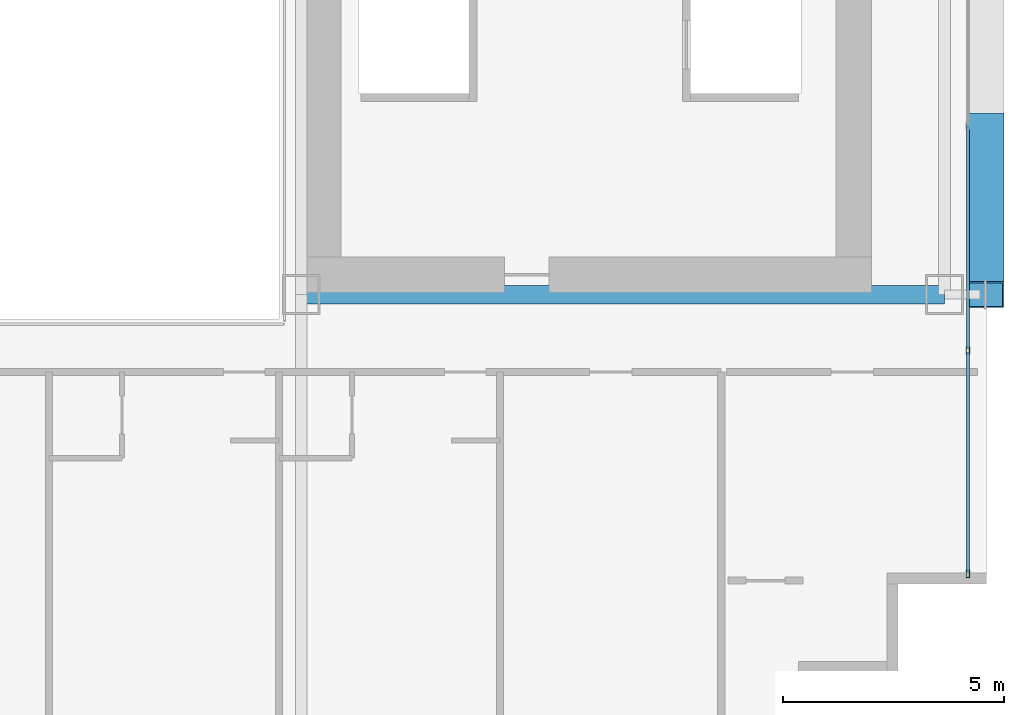
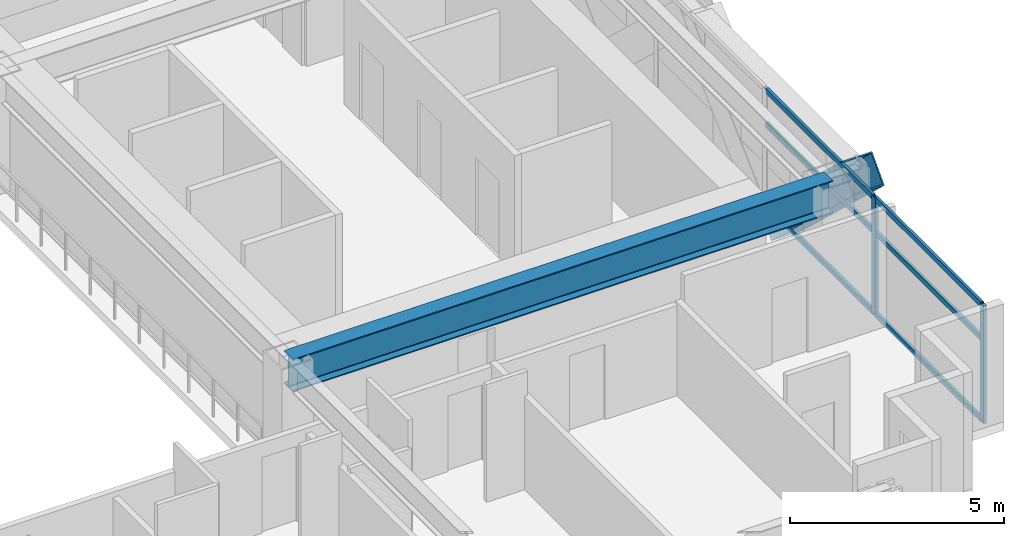
# One storey, part 11 of 38: 9 members, 1 beam, 1 element without a shape of its own.
"""IFC4 building model written with IfcOpenShell, lengths in metres."""

from ifc_helpers import new_model, si_unit, direction, frame, origin, origin_2d, place, context, subcontext, project, spatial, hollow_rectangle, i_section, extrude, source, transform, mapped, material, layer, layer_set, material_profile, profile_set, type_object, element, aggregate, save


model = new_model("IFC4")

# Units and contexts
model_context = context("Model", 3, precision=1e-05, world=origin(), true_north=direction((0.0, 1.0)))
body_context = subcontext(model_context, "Body", "Model", "MODEL_VIEW")
ifc_project = project(units=[si_unit("LENGTHUNIT", "METRE"), si_unit("AREAUNIT", "SQUARE_METRE"), si_unit("VOLUMEUNIT", "CUBIC_METRE"), si_unit("PLANEANGLEUNIT", "RADIAN"), si_unit("MASSUNIT", "GRAM", prefix="KILO")], contexts=[model_context])

# Site, building, storey
site_placement = place(None, origin())
site = spatial("IfcSite", under=ifc_project, at=site_placement, CompositionType="ELEMENT")
building_placement = place(site_placement, origin())
building = spatial("IfcBuilding", under=site, at=building_placement, Name="Ocotamira Hotel", CompositionType="ELEMENT")
storey_placement = place(building_placement, frame((0.0, 0.0, 74.39990234375)))
storey = spatial("IfcBuildingStorey", under=building, at=storey_placement, Name="L18", CompositionType="ELEMENT", Elevation=74.39990234375)

# Beam
ifc_material_1 = material(Name="Steel ASTM A992 Grade 50", Category="steel")
ifc_material_profile_1 = material_profile(ifc_material_1, i_section(OverallWidth=0.41796875, OverallDepth=0.927001953125, WebThickness=0.019287109375, FlangeThickness=0.031982421875, FilletRadius=0.02392578125, at=origin_2d()), Name="W36X231")
ifc_profile_set_1 = profile_set([ifc_material_profile_1], Name="Steel ASTM A992 Grade 50")
beam_type = type_object("IfcBeamType", Name="BM-GIRD-W36X231", PredefinedType="BEAM", material=ifc_profile_set_1)
shared_shape_1 = source(origin(), body_context, "Body", "SweptSolid", [
    extrude(i_section(OverallWidth=0.41796875, OverallDepth=0.927001953125, WebThickness=0.019287109375, FlangeThickness=0.031982421875, FilletRadius=0.02392578125, at=origin_2d()), origin(), (0.0, 0.0, 1.0), 14.550048828125),
])
beam_placement = place(storey_placement, frame((40.5, 14.550048828125, 2.88671875), z_axis=(1.0, 0.0, 0.0), x_axis=(0.0, 1.0, 0.0)))
element("IfcBeam", 1, at=beam_placement, inside=storey, type_object=beam_type, Name="L18 Girder Y14.55 X40.5-55.05", PredefinedType="BEAM", context=body_context, shape_type="MappedRepresentation", body=[
    mapped(shared_shape_1, transform((0.0, 0.0, 0.0), scale=1.0)),
])

# Member
ifc_material_2 = material(Name="Pale-metal coated steel ASTM A913 Grade 65", Category="steel")
ifc_material_profile_2 = material_profile(ifc_material_2, hollow_rectangle(XDim=0.85009765625, YDim=0.85009765625, WallThickness=0.035888671875, at=origin_2d()), Name="BOX850X850X36")
ifc_profile_set_2 = profile_set([ifc_material_profile_2], Name="Pale-metal coated steel ASTM A913 Grade 65")
member_type_1 = type_object("IfcMemberType", Name="MEM-EXO-BOX850", PredefinedType="BRACE", material=ifc_profile_set_2)
shared_shape_2 = source(origin(), body_context, "Body", "SweptSolid", [
    extrude(hollow_rectangle(XDim=0.85009765625, YDim=0.85009765625, WallThickness=0.035888671875, at=origin_2d()), origin(), (0.0, 0.0, 1.0), 5.24658203125),
])
member_1_placement = place(storey_placement, frame((55.969970703125, 18.36669921875, -0.5), z_axis=(0.0, -0.727442733726, 0.686168397078), x_axis=(1.0, 0.0, 0.0)))
element("IfcMember", 2, at=member_1_placement, inside=storey, type_object=member_type_1, Name="L18 Exoskeleton Diagrid E0.1", PredefinedType="BRACE", context=body_context, shape_type="MappedRepresentation", body=[
    mapped(shared_shape_2, transform((0.0, 0.0, 0.0), scale=1.0)),
])

# Curtain wall, members
ifc_material_3 = material(Name="Anodised pale-metal aluminium and solar glass", Category="aluminium")
ifc_layer = layer(ifc_material_3, 0.179931640625)
ifc_layer_set = layer_set([ifc_layer], Name="Anodised pale-metal aluminium and solar glass")
curtain_wall_type = type_object("IfcCurtainWallType", Name="CW-SYS2-Z1", PredefinedType="NOTDEFINED", material=ifc_layer_set)
curtain_wall_placement = place(storey_placement, origin())
curtain_wall = element("IfcCurtainWall", 3, at=curtain_wall_placement, inside=storey, type_object=curtain_wall_type, Name="L18 Curtain Wall CW-2 CW-L18-E", PredefinedType="NOTDEFINED")
ifc_material_4 = material(Name="Anodised pale-metal aluminium 6063-T6", Category="aluminium")
ifc_material_profile_3 = material_profile(ifc_material_4, hollow_rectangle(XDim=0.074951171875, YDim=0.14990234375, WallThickness=0.006103515625, at=origin_2d()), Name="HSS150X75X6")
ifc_profile_set_3 = profile_set([ifc_material_profile_3], Name="Anodised pale-metal aluminium 6063-T6")
member_type_2 = type_object("IfcMemberType", Name="CWT-150X75", PredefinedType="USERDEFINED", material=ifc_profile_set_3)
shared_shape_3 = source(origin(), body_context, "Body", "SweptSolid", [
    extrude(hollow_rectangle(XDim=0.074951171875, YDim=0.14990234375, WallThickness=0.006103515625, at=origin_2d()), origin(), (0.0, 0.0, 1.0), 4.965576171875),
])
member_2_placement = place(storey_placement, frame((55.580078125, 8.280029296875, 0.03759765625), z_axis=(0.0, 1.0, 0.0), x_axis=(-1.0, 0.0, 0.0)))
member_2 = element("IfcMember", 4, at=member_2_placement, type_object=member_type_2, Name="CW-2 transom 1.1", ObjectType="TRANSOM", PredefinedType="USERDEFINED", context=body_context, shape_type="MappedRepresentation", body=[
    mapped(shared_shape_3, transform((0.0, 0.0, 0.0), scale=1.0)),
])
member_3_placement = place(storey_placement, frame((55.580078125, 8.280029296875, 2.35009765625), z_axis=(0.0, 1.0, 0.0), x_axis=(-1.0, 0.0, 0.0)))
member_3 = element("IfcMember", 5, at=member_3_placement, type_object=member_type_2, Name="CW-2 transom 1.2", ObjectType="TRANSOM", PredefinedType="USERDEFINED", context=body_context, shape_type="MappedRepresentation", body=[
    mapped(shared_shape_3, transform((0.0, 0.0, 0.0), scale=1.0)),
])
member_4_placement = place(storey_placement, frame((55.580078125, 8.280029296875, 3.3125), z_axis=(0.0, 1.0, 0.0), x_axis=(-1.0, 0.0, 0.0)))
member_4 = element("IfcMember", 6, at=member_4_placement, type_object=member_type_2, Name="CW-2 transom 1.3", ObjectType="TRANSOM", PredefinedType="USERDEFINED", context=body_context, shape_type="MappedRepresentation", body=[
    mapped(shared_shape_3, transform((0.0, 0.0, 0.0), scale=1.0)),
])
shared_shape_4 = source(origin(), body_context, "Body", "SweptSolid", [
    extrude(hollow_rectangle(XDim=0.074951171875, YDim=0.14990234375, WallThickness=0.006103515625, at=origin_2d()), origin(), (0.0, 0.0, 1.0), 5.005859375),
])
member_5_placement = place(storey_placement, frame((55.580078125, 13.32568359375, 0.03759765625), z_axis=(0.0, 1.0, 0.0), x_axis=(-1.0, 0.0, 0.0)))
member_5 = element("IfcMember", 7, at=member_5_placement, type_object=member_type_2, Name="CW-2 transom 2.1", ObjectType="TRANSOM", PredefinedType="USERDEFINED", context=body_context, shape_type="MappedRepresentation", body=[
    mapped(shared_shape_4, transform((0.0, 0.0, 0.0), scale=1.0)),
])
member_6_placement = place(storey_placement, frame((55.580078125, 13.32568359375, 2.35009765625), z_axis=(0.0, 1.0, 0.0), x_axis=(-1.0, 0.0, 0.0)))
member_6 = element("IfcMember", 8, at=member_6_placement, type_object=member_type_2, Name="CW-2 transom 2.2", ObjectType="TRANSOM", PredefinedType="USERDEFINED", context=body_context, shape_type="MappedRepresentation", body=[
    mapped(shared_shape_4, transform((0.0, 0.0, 0.0), scale=1.0)),
])
member_7_placement = place(storey_placement, frame((55.580078125, 13.32568359375, 3.3125), z_axis=(0.0, 1.0, 0.0), x_axis=(-1.0, 0.0, 0.0)))
member_7 = element("IfcMember", 9, at=member_7_placement, type_object=member_type_2, Name="CW-2 transom 2.3", ObjectType="TRANSOM", PredefinedType="USERDEFINED", context=body_context, shape_type="MappedRepresentation", body=[
    mapped(shared_shape_4, transform((0.0, 0.0, 0.0), scale=1.0)),
])
ifc_material_profile_4 = material_profile(ifc_material_4, hollow_rectangle(XDim=0.080078125, YDim=0.179931640625, WallThickness=0.006103515625, at=origin_2d()), Name="HSS180X80X6")
ifc_profile_set_4 = profile_set([ifc_material_profile_4], Name="Anodised pale-metal aluminium 6063-T6")
member_type_3 = type_object("IfcMemberType", Name="CWM-180X75", PredefinedType="MULLION", material=ifc_profile_set_4)
shared_shape_5 = source(origin(), body_context, "Body", "SweptSolid", [
    extrude(hollow_rectangle(XDim=0.080078125, YDim=0.179931640625, WallThickness=0.006103515625, at=origin_2d()), origin(), (0.0, 0.0, 1.0), 3.35009765625),
])
member_8_placement = place(storey_placement, frame((55.580078125, 8.239990234375, 0.0), z_axis=(0.0, 0.0, 1.0), x_axis=(-1.0, 0.0, 0.0)))
member_8 = element("IfcMember", 10, at=member_8_placement, type_object=member_type_3, Name="CW-2 mullion 1", PredefinedType="MULLION", context=body_context, shape_type="MappedRepresentation", body=[
    mapped(shared_shape_5, transform((0.0, 0.0, 0.0), scale=1.0)),
])
member_9_placement = place(storey_placement, frame((55.580078125, 13.28564453125, 0.0), z_axis=(0.0, 0.0, 1.0), x_axis=(-1.0, 0.0, 0.0)))
member_9 = element("IfcMember", 11, at=member_9_placement, type_object=member_type_3, Name="CW-2 mullion 2", PredefinedType="MULLION", context=body_context, shape_type="MappedRepresentation", body=[
    mapped(shared_shape_5, transform((0.0, 0.0, 0.0), scale=1.0)),
])
aggregate(curtain_wall, [member_8, member_9, member_2, member_3, member_4, member_5, member_6, member_7])

save(model, "model.ifc")
